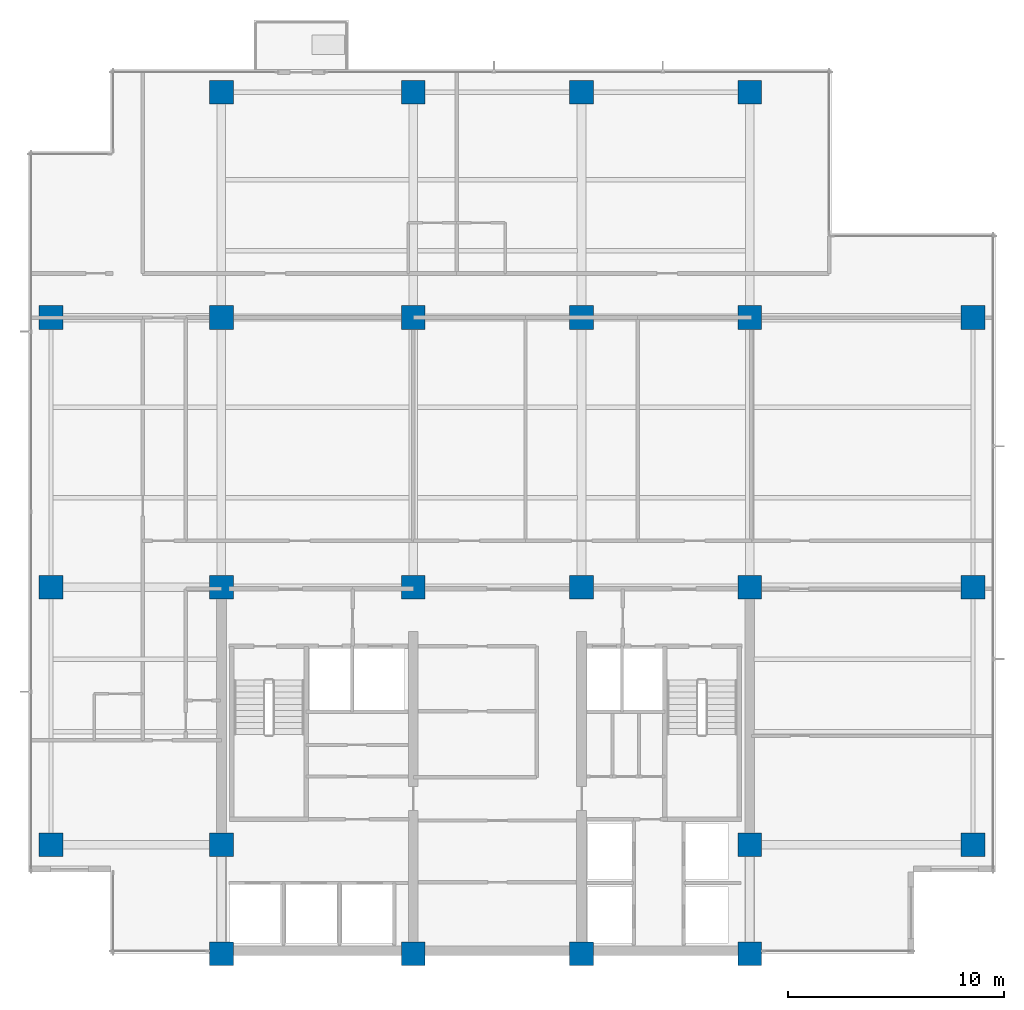
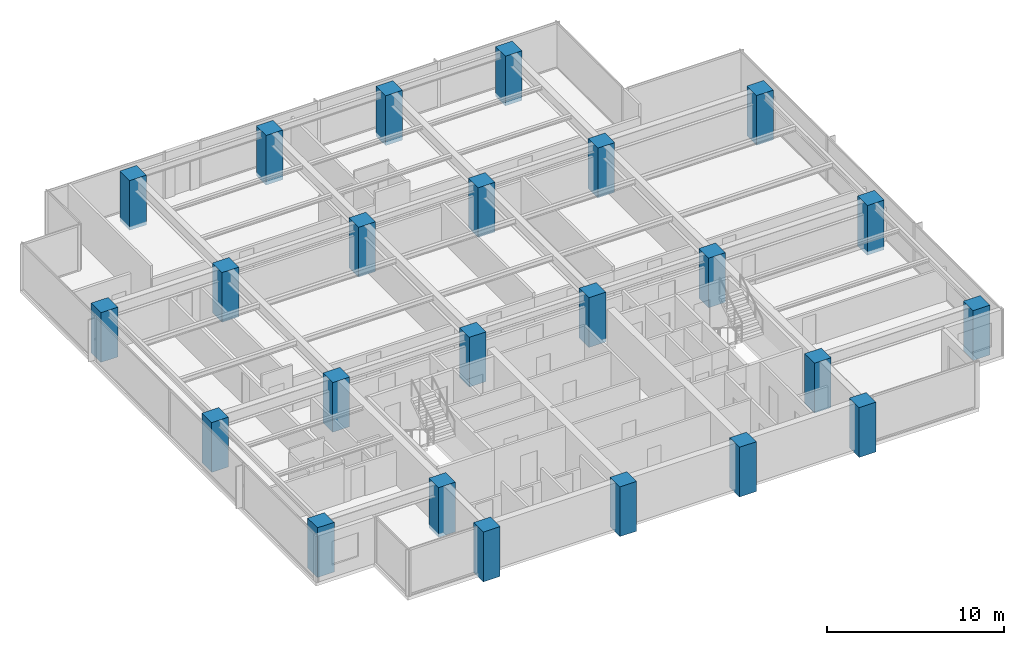
# One storey, part 1 of 14: 24 columns.
"""IFC4 building model written with IfcOpenShell, lengths in metres."""

import ifcopenshell
import ifcopenshell.guid

model = None  # the IFC model being written
_history = None  # IfcOwnerHistory: only IFC2X3 demands one
_inside = {}  # id of a spatial element -> (the spatial element, [elements in it])
_under = {}  # id of a project, library or spatial element -> (it, [spatial elements below it])
_declared = {}  # id of a project -> (the project, [libraries it declares])
_typed = {}  # id of a type object -> (the type object, [elements of that type])
_made_of = {}  # id of a material, layer set ... -> (it, [elements and type objects made of it])


def new_model(schema):
    """Start an empty IFC model of exactly this schema.

    Asked for "IFC4X3", IfcOpenShell would pick the latest addendum, in which some entities
    have other attributes; the version numbers below select the first issue.
    IFC2X3 requires an IfcOwnerHistory on every rooted entity: one is made here for all.
    """
    global model, _history
    if schema == "IFC4X3":
        model = ifcopenshell.file(schema_version=(4, 3, 0, 0))
    else:
        model = ifcopenshell.file(schema=schema)
    _inside.clear()
    _under.clear()
    _declared.clear()
    _typed.clear()
    _made_of.clear()
    _history = None
    if model.schema == "IFC2X3":
        org = make("IfcOrganization", Name="unknown")
        user = make(
            "IfcPersonAndOrganization",
            ThePerson=make("IfcPerson", FamilyName="unknown"),
            TheOrganization=org,
        )
        app = make(
            "IfcApplication",
            ApplicationDeveloper=org,
            Version="unknown",
            ApplicationFullName="unknown",
            ApplicationIdentifier="unknown",
        )
        _history = make(
            "IfcOwnerHistory",
            OwningUser=user,
            OwningApplication=app,
            ChangeAction="ADDED",
            CreationDate=0,
        )
    return model


def make(cls, **values):
    """One entity of the class cls with the attributes given. An attribute that is None is left unset."""
    return model.create_entity(
        cls, **{name: value for name, value in values.items() if value is not None}
    )


def rooted(cls, **values):
    """An entity with a GlobalId (a new one), such as an element, a storey or a relation."""
    return make(cls, GlobalId=ifcopenshell.guid.new(), OwnerHistory=_history, **values)


def si_unit(unit_type, name, prefix=None):
    """IfcSIUnit, for example si_unit("LENGTHUNIT", "METRE", prefix="MILLI")."""
    return make("IfcSIUnit", UnitType=unit_type, Prefix=prefix, Name=name)


def assignment(units):
    """IfcUnitAssignment: the units of a project."""
    return None if units is None else make("IfcUnitAssignment", Units=units)


def point(xyz):
    """IfcCartesianPoint."""
    return None if xyz is None else make("IfcCartesianPoint", Coordinates=xyz)


def direction(xyz):
    """IfcDirection."""
    return None if xyz is None else make("IfcDirection", DirectionRatios=xyz)


def frame(location, z_axis=None, x_axis=None):
    """IfcAxis2Placement3D, a coordinate frame: its origin and axes. An axis left out is left unset."""
    return make(
        "IfcAxis2Placement3D",
        Location=point(location),
        Axis=direction(z_axis),
        RefDirection=direction(x_axis),
    )


def frame_2d(location, x_axis=None):
    """IfcAxis2Placement2D, a coordinate frame in the plane: its origin and x axis."""
    return make(
        "IfcAxis2Placement2D", Location=point(location), RefDirection=direction(x_axis)
    )


def origin():
    """The frame at (0, 0, 0) with its axes left unset."""
    return frame((0.0, 0.0, 0.0))


def origin_2d():
    """The frame at (0, 0) in the plane with its x axis left unset."""
    return frame_2d((0.0, 0.0))


def place(relative_to, where):
    """IfcLocalPlacement: puts the frame where relative to a parent placement (None: the world)."""
    return make(
        "IfcLocalPlacement", PlacementRelTo=relative_to, RelativePlacement=where
    )


def context(
    kind, dimensions, precision=None, world=None, true_north=None, identifier=None
):
    """IfcGeometricRepresentationContext, for example the 3D "Model" context."""
    return make(
        "IfcGeometricRepresentationContext",
        ContextIdentifier=identifier,
        ContextType=kind,
        CoordinateSpaceDimension=dimensions,
        Precision=precision,
        WorldCoordinateSystem=world,
        TrueNorth=true_north,
    )


def subcontext(parent, identifier, kind, view, scale=None):
    """IfcGeometricRepresentationSubContext, for example "Body" below "Model"."""
    return make(
        "IfcGeometricRepresentationSubContext",
        ContextIdentifier=identifier,
        ContextType=kind,
        ParentContext=parent,
        TargetScale=scale,
        TargetView=view,
    )


def project(units=None, contexts=None):
    """IfcProject with its units and contexts."""
    return rooted(
        "IfcProject",
        Name="project",
        RepresentationContexts=contexts,
        UnitsInContext=assignment(units),
    )


def spatial(cls, under=None, at=None, **own):
    """A site, building, storey or space (cls), placed at a placement, below another one or the project."""
    s = rooted(cls, ObjectPlacement=at, **own)
    if under is not None:
        _under.setdefault(under.id(), (under, []))[1].append(s)
    return s


def profile(cls, at=None, kind="AREA", **sizes):
    """A parametric profile (cls). Its sizes go by their IFC names, for example OverallWidth=200.0."""
    return make(cls, ProfileType=kind, Position=at, **sizes)


def rectangle(**sizes):
    """IfcRectangleProfileDef."""
    return profile("IfcRectangleProfileDef", **sizes)


def extrude(swept, where, along, depth):
    """IfcExtrudedAreaSolid: the profile swept, set in the frame where, extruded along a direction by depth."""
    return make(
        "IfcExtrudedAreaSolid",
        SweptArea=swept,
        Position=where,
        ExtrudedDirection=direction(along),
        Depth=depth,
    )


def shape(context_of_items, identifier, shape_type, items):
    """IfcShapeRepresentation: the items that make up one representation, for example the "Body"."""
    return make(
        "IfcShapeRepresentation",
        ContextOfItems=context_of_items,
        RepresentationIdentifier=identifier,
        RepresentationType=shape_type,
        Items=items,
    )


def material(Name=None, Category=None):
    """IfcMaterial."""
    return make("IfcMaterial", Name=Name, Category=Category)


def material_profile(
    of_material, cross_section, Name=None, Category=None, Priority=None
):
    """IfcMaterialProfile: a cross section and its material."""
    return make(
        "IfcMaterialProfile",
        Name=Name,
        Material=of_material,
        Profile=cross_section,
        Priority=Priority,
        Category=Category,
    )


def profile_set(profiles, Name=None, composite=None):
    """IfcMaterialProfileSet."""
    return make(
        "IfcMaterialProfileSet",
        Name=Name,
        MaterialProfiles=profiles,
        CompositeProfile=composite,
    )


def made_of(thing, what):
    """Note that an element or type object is made of a material, layer set ...; save() writes the relation."""
    if what is not None:
        _made_of.setdefault(what.id(), (what, []))[1].append(thing)
    return thing


def type_object(cls, material=None, **own):
    """A type object (cls), such as IfcWallType, which elements share."""
    return made_of(rooted(cls, **own), material)


def element(
    cls,
    number,
    at=None,
    inside=None,
    cuts=None,
    type_object=None,
    material=None,
    context=None,
    identifier="Body",
    shape_type=None,
    held_by="IfcProductDefinitionShape",
    body=None,
    shapes=None,
    **own,
):
    """One element of the class cls, such as IfcWall. Its Tag is "e" and its number.

    at: its placement. inside: the storey or other place that contains it. cuts: it is an
    opening in that element (IfcRelVoidsElement). A single representation is given by context,
    identifier, shape_type and body (its items); several are given by shapes. held_by: the class
    of the entity that holds the representations. save() writes the other relations.
    """
    e = rooted(cls, Tag="e%d" % number, ObjectPlacement=at, **own)
    if body is not None:
        shapes = [shape(context, identifier, shape_type, body)]
    if shapes is not None:
        e.Representation = make(held_by, Representations=shapes)
    if inside is not None:
        _inside.setdefault(inside.id(), (inside, []))[1].append(e)
    if cuts is not None:
        rooted(
            "IfcRelVoidsElement", RelatingBuildingElement=cuts, RelatedOpeningElement=e
        )
    if type_object is not None:
        _typed.setdefault(type_object.id(), (type_object, []))[1].append(e)
    return made_of(e, material)


def aggregate(whole, parts):
    """IfcRelAggregates: a whole, such as a stair, and the parts it consists of."""
    return rooted("IfcRelAggregates", RelatingObject=whole, RelatedObjects=parts)


def save(model, path):
    """Write the relations noted so far, then the file.

    IfcRelAggregates (storeys below a building ...), IfcRelContainedInSpatialStructure (elements
    in a storey), IfcRelDefinesByType, IfcRelAssociatesMaterial and IfcRelDeclares: one each for
    every whole, place, type object, material and project.
    """
    for whole, parts in _under.values():
        aggregate(whole, parts)
    for where, things in _inside.values():
        rooted(
            "IfcRelContainedInSpatialStructure",
            RelatedElements=things,
            RelatingStructure=where,
        )
    for kind, things in _typed.values():
        rooted("IfcRelDefinesByType", RelatedObjects=things, RelatingType=kind)
    for what, things in _made_of.values():
        rooted("IfcRelAssociatesMaterial", RelatedObjects=things, RelatingMaterial=what)
    for by, libraries in _declared.values():
        rooted("IfcRelDeclares", RelatingContext=by, RelatedDefinitions=libraries)
    model.write(path)


model = new_model("IFC4")

# Units and contexts
model_context = context("Model", 3, precision=1e-05, world=origin(), true_north=direction((0.0, 1.0)))
body_context = subcontext(model_context, "Body", "Model", "MODEL_VIEW")
ifc_project = project(units=[si_unit("LENGTHUNIT", "METRE"), si_unit("AREAUNIT", "SQUARE_METRE"), si_unit("VOLUMEUNIT", "CUBIC_METRE"), si_unit("PLANEANGLEUNIT", "RADIAN"), si_unit("MASSUNIT", "GRAM", prefix="KILO")], contexts=[model_context])

# Site, building, storey
site_placement = place(None, origin())
site = spatial("IfcSite", under=ifc_project, at=site_placement, CompositionType="ELEMENT")
building_placement = place(site_placement, origin())
building = spatial("IfcBuilding", under=site, at=building_placement, Name="Qalmaran Belvedere Hotel", CompositionType="ELEMENT")
storey_placement = place(building_placement, frame((0.0, 0.0, 180.60009765625)))
storey = spatial("IfcBuildingStorey", under=building, at=storey_placement, Name="L46", CompositionType="ELEMENT", Elevation=180.60009765625)

# Columns
ifc_material = material(Name="Concrete C50/60", Category="concrete")
ifc_material_profile = material_profile(ifc_material, rectangle(XDim=1.10009765625, YDim=1.10009765625, at=origin_2d()), Name="CC1100X1100")
ifc_profile_set = profile_set([ifc_material_profile], Name="Concrete C50/60")
column_type = type_object("IfcColumnType", Name="COL-Z3-CC1100", PredefinedType="COLUMN", material=ifc_profile_set)
for number, where, z_axis, x_axis, name in (
    (1, (20.300048828125, 3.5, -0.25), (0.0, 0.0, 1.0), (1.0, 0.0, 0.0), "L46 Column C4B"),
    (2, (29.199951171875, 3.5, -0.25), (0.0, 0.0, 1.0), (1.0, 0.0, 0.0), "L46 Column C5B"),
    (3, (37.0, 3.5, -0.25), (0.0, 0.0, 1.0), (1.0, 0.0, 0.0), "L46 Column C6B"),
    (4, (44.800048828125, 3.5, -0.25), (0.0, 0.0, 1.0), (1.0, 0.0, 0.0), "L46 Column C7B"),
    (5, (20.300048828125, 8.550048828125, -0.25), (0.0, 0.0, 1.0), (1.0, 0.0, 0.0), "L46 Column C4C"),
    (6, (44.800048828125, 8.550048828125, -0.25), (0.0, 0.0, 1.0), (1.0, 0.0, 0.0), "L46 Column C7C"),
    (7, (20.300048828125, 20.5, -0.25), (0.0, 0.0, 1.0), (1.0, 0.0, 0.0), "L46 Column C4D"),
    (8, (29.199951171875, 20.5, -0.25), (0.0, 0.0, 1.0), (1.0, 0.0, 0.0), "L46 Column C5D"),
    (9, (37.0, 20.5, -0.25), (0.0, 0.0, 1.0), (1.0, 0.0, 0.0), "L46 Column C6D"),
    (10, (44.800048828125, 20.5, -0.25), (0.0, 0.0, 1.0), (1.0, 0.0, 0.0), "L46 Column C7D"),
    (11, (20.300048828125, 33.0, -0.25), (0.0, 0.0, 1.0), (1.0, 0.0, 0.0), "L46 Column C4F"),
    (12, (29.199951171875, 33.0, -0.25), (0.0, 0.0, 1.0), (1.0, 0.0, 0.0), "L46 Column C5F"),
    (13, (37.0, 33.0, -0.25), (0.0, 0.0, 1.0), (1.0, 0.0, 0.0), "L46 Column C6F"),
    (14, (44.800048828125, 33.0, -0.25), (0.0, 0.0, 1.0), (1.0, 0.0, 0.0), "L46 Column C7F"),
    (15, (12.39990234375, 8.550048828125, -0.25), (0.0, 0.0, 1.0), (1.0, 0.0, 0.0), "L46 Column CW1"),
    (16, (12.39990234375, 20.5, -0.25), (0.0, 0.0, 1.0), (1.0, 0.0, 0.0), "L46 Column CW3"),
    (17, (12.39990234375, 33.0, -0.25), (0.0, 0.0, 1.0), (1.0, 0.0, 0.0), "L46 Column CW4"),
    (18, (55.14990234375, 8.550048828125, -0.25), (0.0, 0.0, 1.0), (1.0, 0.0, 0.0), "L46 Column CE1"),
    (19, (55.14990234375, 20.5, -0.25), (0.0, 0.0, 1.0), (1.0, 0.0, 0.0), "L46 Column CE3"),
    (20, (55.14990234375, 33.0, -0.25), (0.0, 0.0, 1.0), (1.0, 0.0, 0.0), "L46 Column CE4"),
    (21, (20.300048828125, 43.449951171875, -0.25), (0.0, 0.0, 1.0), (1.0, 0.0, 0.0), "L46 Column CN1"),
    (22, (29.199951171875, 43.449951171875, -0.25), (0.0, 0.0, 1.0), (1.0, 0.0, 0.0), "L46 Column CN2"),
    (23, (37.0, 43.449951171875, -0.25), (0.0, 0.0, 1.0), (1.0, 0.0, 0.0), "L46 Column CN3"),
    (24, (44.800048828125, 43.449951171875, -0.25), (0.0, 0.0, 1.0), (1.0, 0.0, 0.0), "L46 Column CN4"),
):
    element("IfcColumn", number, at=place(storey_placement, frame(where, z_axis=z_axis, x_axis=x_axis)), inside=storey, type_object=column_type, Name=name, PredefinedType="COLUMN", context=body_context, shape_type="SweptSolid", body=[
        extrude(rectangle(XDim=1.10009765625, YDim=1.10009765625, at=origin_2d()), origin(), (0.0, 0.0, 1.0), 3.429931640625),
    ])

save(model, "model.ifc")
